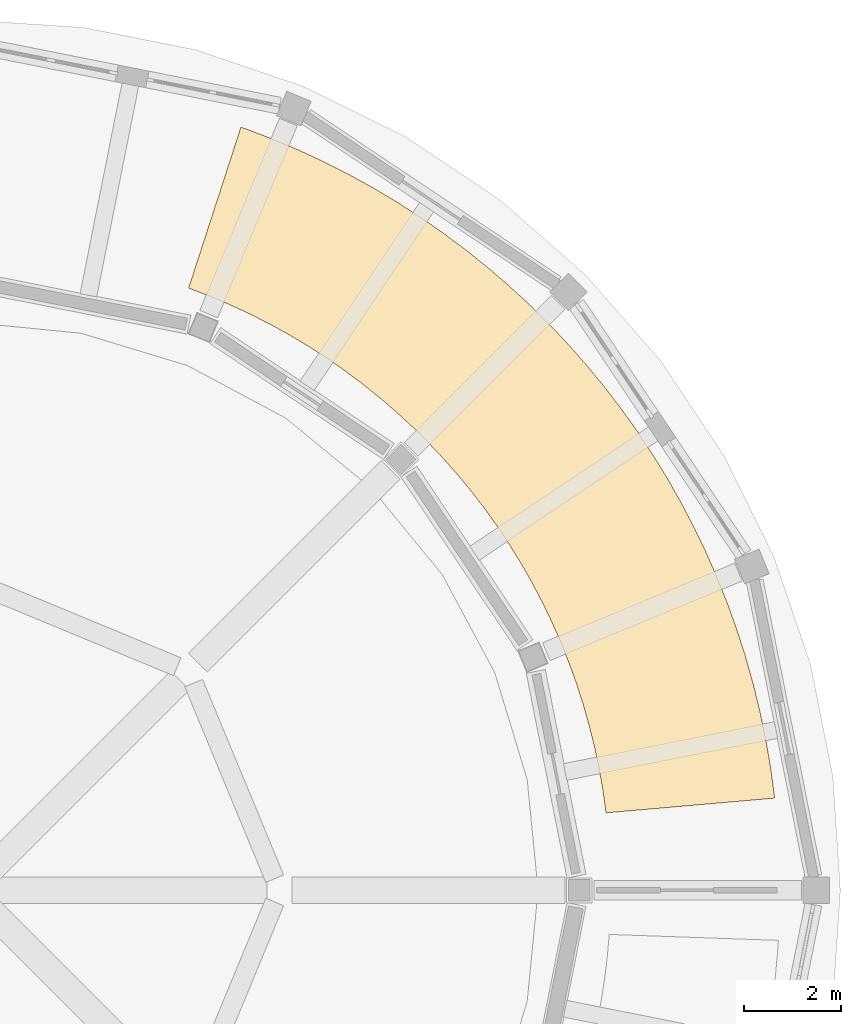
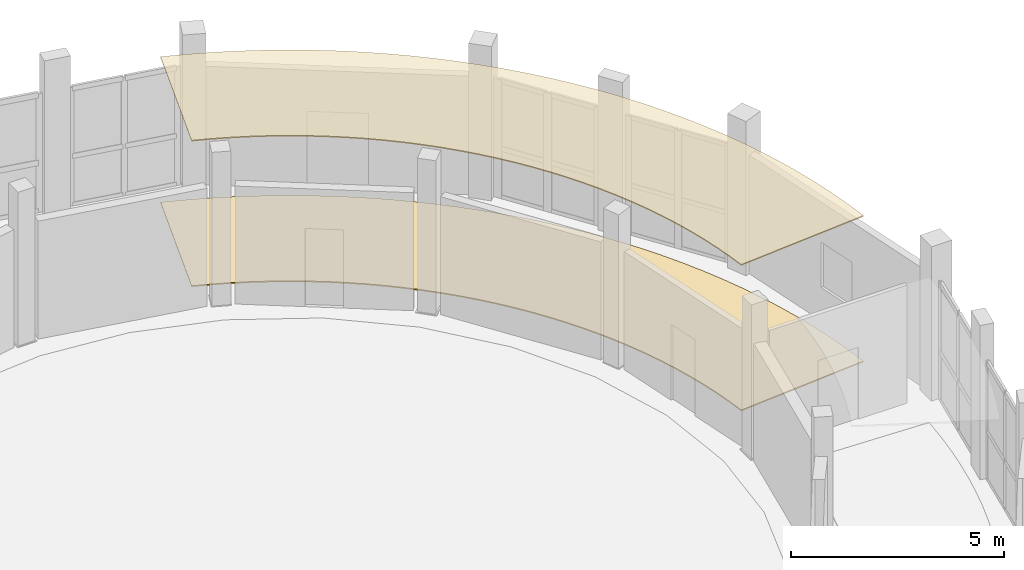
# One storey, part 92 of 92: 2 coverings.
"""IFC4 building model written with IfcOpenShell, lengths in metres."""

from ifc_helpers import new_model, si_unit, direction, frame, origin, place, context, subcontext, project, spatial, polyline, outline, extrude, material, layer, layer_set, type_object, element, save


model = new_model("IFC4")

# Units and contexts
model_context = context("Model", 3, precision=1e-05, world=origin(), true_north=direction((0.0, 1.0)))
body_context = subcontext(model_context, "Body", "Model", "MODEL_VIEW")
ifc_project = project(units=[si_unit("LENGTHUNIT", "METRE"), si_unit("AREAUNIT", "SQUARE_METRE"), si_unit("VOLUMEUNIT", "CUBIC_METRE"), si_unit("PLANEANGLEUNIT", "RADIAN"), si_unit("MASSUNIT", "GRAM", prefix="KILO")], contexts=[model_context])

# Site, building, storey
site_placement = place(None, origin())
site = spatial("IfcSite", under=ifc_project, at=site_placement, CompositionType="ELEMENT")
building_placement = place(site_placement, origin())
building = spatial("IfcBuilding", under=site, at=building_placement, Name="Caldaven Crescent School", CompositionType="ELEMENT")
storey_placement = place(building_placement, origin())
storey = spatial("IfcBuildingStorey", under=building, at=storey_placement, Name="L00", CompositionType="ELEMENT", Elevation=0.0)

# Coverings
ifc_material_1 = material(Name="Perforated Pino Radiata acoustic timber baffle ceiling", Category="wood")
ifc_layer_1 = layer(ifc_material_1, 0.030029296875)
ifc_layer_set_1 = layer_set([ifc_layer_1], Name="Perforated Pino Radiata acoustic timber baffle ceiling")
covering_type_1 = type_object("IfcCoveringType", Name="COV-CLG1", PredefinedType="CEILING", material=ifc_layer_set_1)
covering_1_placement = place(storey_placement, frame((0.0, 0.0, 4.169921875)))
element("IfcCovering", 1, at=covering_1_placement, inside=storey, type_object=covering_type_1, Name="CLG-L00-008", PredefinedType="CEILING", context=body_context, shape_type="SweptSolid", body=[
    extrude(outline(polyline([(158.1015625, 114.28369140625), (158.220703125, 114.24267578125), (158.7587890625, 114.03662109375), (159.289306640625, 113.812255859375), (159.811767578125, 113.56982421875), (160.32568359375, 113.3095703125), (160.830322265625, 113.031494140625), (161.324951171875, 112.736572265625), (161.809326171875, 112.424560546875), (162.28271484375, 112.096435546875), (162.744384765625, 111.751953125), (163.194091796875, 111.391845703125), (163.631103515625, 111.016357421875), (164.0546875, 110.626220703125), (164.465087890625, 110.2216796875), (164.861083984375, 109.803466796875), (165.2421875, 109.37158203125), (165.608642578125, 108.927001953125), (165.95947265625, 108.47021484375), (166.29443359375, 108.00146484375), (166.61279296875, 107.521484375), (166.914794921875, 107.031005859375), (167.199462890625, 106.530029296875), (167.467041015625, 106.02001953125), (167.716796875, 105.500732421875), (167.948486328125, 104.973388671875), (168.162109375, 104.4384765625), (168.356689453125, 103.896240234375), (168.533203125, 103.347900390625), (168.690185546875, 102.793701171875), (168.828369140625, 102.234375), (168.947021484375, 101.670654296875), (169.04638671875, 101.103271484375), (169.126220703125, 100.53271484375), (169.139404296875, 100.407470703125), (165.652587890625, 100.102294921875), (165.651123046875, 100.11572265625), (165.590087890625, 100.5517578125), (165.587890625, 100.56689453125), (165.511962890625, 101.00048828125), (165.5087890625, 101.015869140625), (165.418212890625, 101.446533203125), (165.414794921875, 101.461669921875), (165.30908203125, 101.888916015625), (165.30517578125, 101.90380859375), (165.18505859375, 102.327392578125), (165.1806640625, 102.34228515625), (165.0458984375, 102.761474609375), (165.041015625, 102.77587890625), (164.89208984375, 103.190185546875), (164.886474609375, 103.204833984375), (164.723388671875, 103.61376953125), (164.71728515625, 103.6279296875), (164.540283203125, 104.031005859375), (164.533935546875, 104.044921875), (164.343017578125, 104.441650390625), (164.336181640625, 104.45556640625), (164.131591796875, 104.845458984375), (164.124267578125, 104.85888671875), (163.90673828125, 105.24169921875), (163.898681640625, 105.2548828125), (163.668212890625, 105.6298828125), (163.65966796875, 105.64306640625), (163.416259765625, 106.009765625), (163.40771484375, 106.0224609375), (163.151611328125, 106.380615234375), (163.142333984375, 106.39306640625), (162.874267578125, 106.7421875), (162.86474609375, 106.75439453125), (162.584716796875, 107.093994140625), (162.57470703125, 107.105712890625), (162.283203125, 107.435791015625), (162.272705078125, 107.447265625), (161.97021484375, 107.766845703125), (161.95947265625, 107.778076171875), (161.64599609375, 108.087158203125), (161.634765625, 108.097900390625), (161.310791015625, 108.39599609375), (161.29931640625, 108.406005859375), (160.965576171875, 108.693115234375), (160.95361328125, 108.702880859375), (160.60986328125, 108.97802734375), (160.59765625, 108.987548828125), (160.24462890625, 109.250732421875), (160.232177734375, 109.260009765625), (159.87060546875, 109.5107421875), (159.857666015625, 109.519287109375), (159.487548828125, 109.7578125), (159.474365234375, 109.765869140625), (159.09619140625, 109.9912109375), (159.082763671875, 109.9990234375), (158.697265625, 110.211181640625), (158.68359375, 110.218505859375), (158.291015625, 110.41748046875), (158.27685546875, 110.42431640625), (157.877685546875, 110.609619140625), (157.863525390625, 110.61572265625), (157.4580078125, 110.787353515625), (157.443603515625, 110.793212890625), (157.03271484375, 110.95068359375), (157.02001953125, 110.955078125), (158.1015625, 114.28369140625)])), origin(), (0.0, 0.0, 1.0), 0.030029296875),
])
ifc_material_2 = material(Name="Polished terrazzo and acoustic linoleum flooring")
ifc_layer_2 = layer(ifc_material_2, 0.031982421875)
ifc_layer_set_2 = layer_set([ifc_layer_2], Name="Polished terrazzo and acoustic linoleum flooring")
covering_type_2 = type_object("IfcCoveringType", Name="COV-FLR3", PredefinedType="FLOORING", material=ifc_layer_set_2)
covering_2_placement = place(storey_placement, origin())
element("IfcCovering", 2, at=covering_2_placement, inside=storey, type_object=covering_type_2, Name="FLR-L00-008", PredefinedType="FLOORING", context=body_context, shape_type="SweptSolid", body=[
    extrude(outline(polyline([(157.02001953125, 110.955078125), (158.1015625, 114.28369140625), (158.220703125, 114.24267578125), (158.7587890625, 114.03662109375), (159.289306640625, 113.812255859375), (159.811767578125, 113.56982421875), (160.32568359375, 113.3095703125), (160.830322265625, 113.031494140625), (161.324951171875, 112.736572265625), (161.809326171875, 112.424560546875), (162.28271484375, 112.096435546875), (162.744384765625, 111.751953125), (163.194091796875, 111.391845703125), (163.631103515625, 111.016357421875), (164.0546875, 110.626220703125), (164.465087890625, 110.2216796875), (164.861083984375, 109.803466796875), (165.2421875, 109.37158203125), (165.608642578125, 108.927001953125), (165.95947265625, 108.47021484375), (166.29443359375, 108.00146484375), (166.61279296875, 107.521484375), (166.914794921875, 107.031005859375), (167.199462890625, 106.530029296875), (167.467041015625, 106.02001953125), (167.716796875, 105.500732421875), (167.948486328125, 104.973388671875), (168.162109375, 104.4384765625), (168.356689453125, 103.896240234375), (168.533203125, 103.347900390625), (168.690185546875, 102.793701171875), (168.828369140625, 102.234375), (168.947021484375, 101.670654296875), (169.04638671875, 101.103271484375), (169.126220703125, 100.53271484375), (169.139404296875, 100.407470703125), (165.652587890625, 100.102294921875), (165.651123046875, 100.11572265625), (165.590087890625, 100.5517578125), (165.587890625, 100.56689453125), (165.511962890625, 101.00048828125), (165.5087890625, 101.015869140625), (165.418212890625, 101.446533203125), (165.414794921875, 101.461669921875), (165.30908203125, 101.888916015625), (165.30517578125, 101.90380859375), (165.18505859375, 102.327392578125), (165.1806640625, 102.34228515625), (165.0458984375, 102.761474609375), (165.041015625, 102.77587890625), (164.89208984375, 103.190185546875), (164.886474609375, 103.204833984375), (164.723388671875, 103.61376953125), (164.71728515625, 103.6279296875), (164.540283203125, 104.031005859375), (164.533935546875, 104.044921875), (164.343017578125, 104.441650390625), (164.336181640625, 104.45556640625), (164.131591796875, 104.845458984375), (164.124267578125, 104.85888671875), (163.90673828125, 105.24169921875), (163.898681640625, 105.2548828125), (163.668212890625, 105.6298828125), (163.65966796875, 105.64306640625), (163.416259765625, 106.009765625), (163.40771484375, 106.0224609375), (163.151611328125, 106.380615234375), (163.142333984375, 106.39306640625), (162.874267578125, 106.7421875), (162.86474609375, 106.75439453125), (162.584716796875, 107.093994140625), (162.57470703125, 107.105712890625), (162.283203125, 107.435791015625), (162.272705078125, 107.447265625), (161.97021484375, 107.766845703125), (161.95947265625, 107.778076171875), (161.64599609375, 108.087158203125), (161.634765625, 108.097900390625), (161.310791015625, 108.39599609375), (161.29931640625, 108.406005859375), (160.965576171875, 108.693115234375), (160.95361328125, 108.702880859375), (160.60986328125, 108.97802734375), (160.59765625, 108.987548828125), (160.24462890625, 109.250732421875), (160.232177734375, 109.260009765625), (159.87060546875, 109.5107421875), (159.857666015625, 109.519287109375), (159.487548828125, 109.7578125), (159.474365234375, 109.765869140625), (159.09619140625, 109.9912109375), (159.082763671875, 109.9990234375), (158.697265625, 110.211181640625), (158.68359375, 110.218505859375), (158.291015625, 110.41748046875), (158.27685546875, 110.42431640625), (157.877685546875, 110.609619140625), (157.863525390625, 110.61572265625), (157.4580078125, 110.787353515625), (157.443603515625, 110.793212890625), (157.03271484375, 110.95068359375), (157.02001953125, 110.955078125)])), origin(), (0.0, 0.0, 1.0), 0.031982421875),
])

save(model, "model.ifc")
